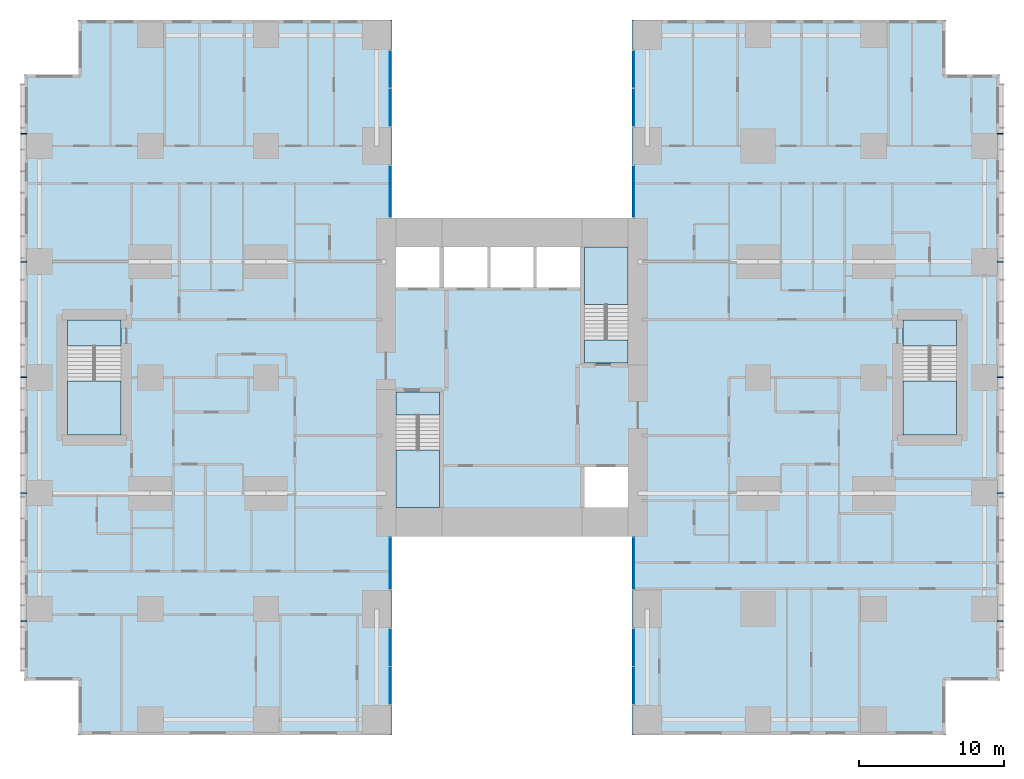
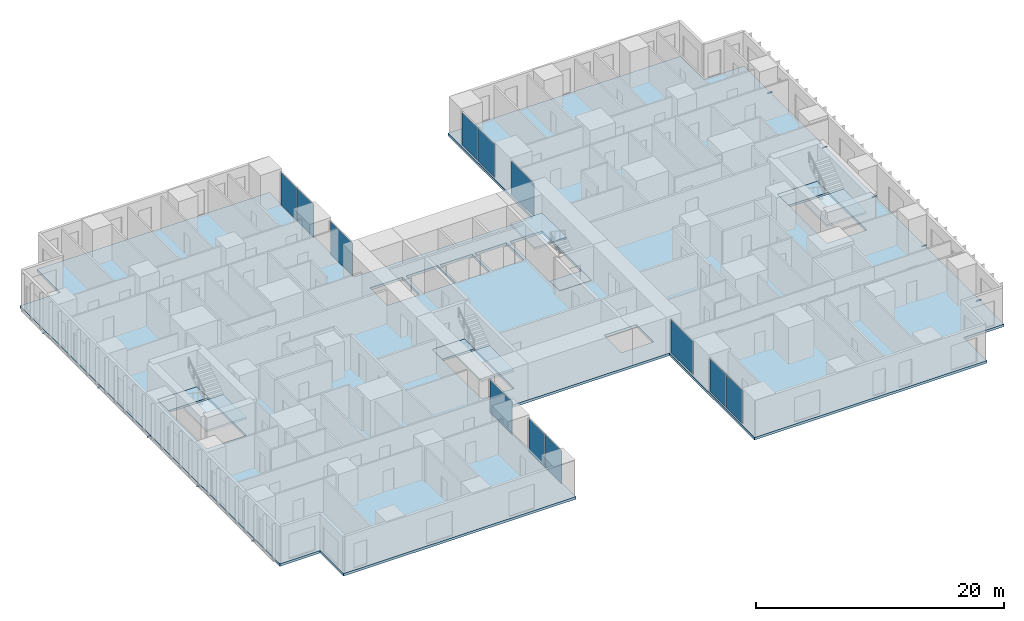
# One storey, part 7 of 20: 12 plates, 10 members, 9 slabs, 12 elements without a shape of their own.
"""IFC4 building model written with IfcOpenShell, lengths in metres."""

from ifc_helpers import new_model, si_unit, direction, frame, origin, origin_2d, place, context, subcontext, project, spatial, polyline, rectangle, hollow_rectangle, outline, extrude, material, layer, layer_set, material_profile, profile_set, type_object, element, aggregate, save


model = new_model("IFC4")

# Units and contexts
model_context = context("Model", 3, precision=1e-05, world=origin(), true_north=direction((0.0, 1.0)))
body_context = subcontext(model_context, "Body", "Model", "MODEL_VIEW")
ifc_project = project(units=[si_unit("LENGTHUNIT", "METRE"), si_unit("AREAUNIT", "SQUARE_METRE"), si_unit("VOLUMEUNIT", "CUBIC_METRE"), si_unit("PLANEANGLEUNIT", "RADIAN"), si_unit("MASSUNIT", "GRAM", prefix="KILO")], contexts=[model_context])

# Site, building, storey
site_placement = place(None, origin())
site = spatial("IfcSite", under=ifc_project, at=site_placement, CompositionType="ELEMENT")
building_placement = place(site_placement, origin())
building = spatial("IfcBuilding", under=site, at=building_placement, Name="Cleftline Residences", CompositionType="ELEMENT")
storey_placement = place(building_placement, frame((0.0, 0.0, 189.39990234375)))
storey = spatial("IfcBuildingStorey", under=building, at=storey_placement, Name="L49", CompositionType="ELEMENT", Elevation=189.39990234375)

# Members
ifc_material_1 = material(Name="Steel S355, hot-dip galvanised", Category="steel")
ifc_material_profile = material_profile(ifc_material_1, hollow_rectangle(XDim=0.10009765625, YDim=0.10009765625, WallThickness=0.008056640625, InnerFilletRadius=0.008056640625, OuterFilletRadius=0.011962890625, at=origin_2d()))
ifc_profile_set = profile_set([ifc_material_profile], Name="Steel S355, hot-dip galvanised")
member_type = type_object("IfcMemberType", Name="BAGUETTE BRACKET SHS 100X100X8", PredefinedType="USERDEFINED", material=ifc_profile_set)
for number, where, z_axis, x_axis, name in (
    (1, (66.5, 7.14990234375, -0.14990234375), (1.0, 0.0, 0.0), (0.0, 1.0, 0.0), "Baguette bracket"),
    (2, (66.5, 16.0, -0.14990234375), (1.0, 0.0, 0.0), (0.0, 1.0, 0.0), "Baguette bracket"),
    (3, (66.5, 24.0, -0.14990234375), (1.0, 0.0, 0.0), (0.0, 1.0, 0.0), "Baguette bracket"),
    (4, (66.5, 32.0, -0.14990234375), (1.0, 0.0, 0.0), (0.0, 1.0, 0.0), "Baguette bracket"),
    (5, (66.5, 40.85009765625, -0.14990234375), (1.0, 0.0, 0.0), (0.0, 1.0, 0.0), "Baguette bracket"),
    (6, (-0.5, 40.85009765625, -0.14990234375), (-1.0, 0.0, 0.0), (0.0, -1.0, 0.0), "Baguette bracket"),
    (7, (-0.5, 32.0, -0.14990234375), (-1.0, 0.0, 0.0), (0.0, -1.0, 0.0), "Baguette bracket"),
    (8, (-0.5, 24.0, -0.14990234375), (-1.0, 0.0, 0.0), (0.0, -1.0, 0.0), "Baguette bracket"),
    (9, (-0.5, 16.0, -0.14990234375), (-1.0, 0.0, 0.0), (0.0, -1.0, 0.0), "Baguette bracket"),
    (10, (-0.5, 7.14990234375, -0.14990234375), (-1.0, 0.0, 0.0), (0.0, -1.0, 0.0), "Baguette bracket"),
):
    element("IfcMember", number, at=place(storey_placement, frame(where, z_axis=z_axis, x_axis=x_axis)), inside=storey, type_object=member_type, Name=name, ObjectType="BAGUETTE BRACKET", PredefinedType="USERDEFINED", context=body_context, shape_type="SweptSolid", body=[
        extrude(hollow_rectangle(XDim=0.10009765625, YDim=0.10009765625, WallThickness=0.008056640625, InnerFilletRadius=0.008056640625, OuterFilletRadius=0.011962890625, at=origin_2d()), origin(), (0.0, 0.0, 1.0), 0.449951171875),
    ])

# Curtain wall, plates
ifc_material_2 = material(Name="Aluminium framed curtain wall", Category="aluminium")
ifc_layer_1 = layer(ifc_material_2, 0.199951171875)
ifc_layer_set_1 = layer_set([ifc_layer_1], Name="CW1 CLEFT GLAZING")
curtain_wall_type = type_object("IfcCurtainWallType", Name="CW1 CLEFT GLAZING", PredefinedType="NOTDEFINED", material=ifc_layer_set_1)
curtain_wall_1_placement = place(storey_placement, origin())
curtain_wall_1 = element("IfcCurtainWall", 11, at=curtain_wall_1_placement, inside=storey, type_object=curtain_wall_type, Name="Curtain wall CW1", PredefinedType="NOTDEFINED")
ifc_material_3 = material(Name="Laminated clear glass", Category="glass")
ifc_layer_2 = layer(ifc_material_3, 0.028076171875)
ifc_layer_set_2 = layer_set([ifc_layer_2], Name="CW1 GLASS PANEL")
plate_type = type_object("IfcPlateType", Name="CW1 GLASS PANEL", PredefinedType="CURTAIN_PANEL", material=ifc_layer_set_2)
plate_1_placement = place(storey_placement, frame((24.574951171875, 2.702392578125, 0.06005859375), z_axis=(0.0, 0.0, 1.0), x_axis=(0.0, 1.0, 0.0)))
plate_1 = element("IfcPlate", 12, at=plate_1_placement, type_object=plate_type, Name="CW1 panel 1.1", PredefinedType="CURTAIN_PANEL", context=body_context, shape_type="SweptSolid", body=[
    extrude(rectangle(XDim=2.5849609375, YDim=0.028076171875, at=origin_2d()), origin(), (0.0, 0.0, 1.0), 3.22998046875),
])
plate_2_placement = place(storey_placement, frame((24.574951171875, 5.347412109375, 0.06005859375), z_axis=(0.0, 0.0, 1.0), x_axis=(0.0, 1.0, 0.0)))
plate_2 = element("IfcPlate", 13, at=plate_2_placement, type_object=plate_type, Name="CW1 panel 2.1", PredefinedType="CURTAIN_PANEL", context=body_context, shape_type="SweptSolid", body=[
    extrude(rectangle(XDim=2.5849609375, YDim=0.028076171875, at=origin_2d()), origin(), (0.0, 0.0, 1.0), 3.22998046875),
])
aggregate(curtain_wall_1, [plate_1, plate_2])

# Curtain wall, plate
curtain_wall_2_placement = place(storey_placement, origin())
curtain_wall_2 = element("IfcCurtainWall", 14, at=curtain_wall_2_placement, inside=storey, type_object=curtain_wall_type, Name="Curtain wall CW1", PredefinedType="NOTDEFINED")
plate_3_placement = place(storey_placement, frame((24.574951171875, 11.14990234375, 0.06005859375), z_axis=(0.0, 0.0, 1.0), x_axis=(0.0, 1.0, 0.0)))
plate_3 = element("IfcPlate", 15, at=plate_3_placement, type_object=plate_type, Name="CW1 panel 1.1", PredefinedType="CURTAIN_PANEL", context=body_context, shape_type="SweptSolid", body=[
    extrude(rectangle(XDim=3.580078125, YDim=0.028076171875, at=origin_2d()), origin(), (0.0, 0.0, 1.0), 3.22998046875),
])
aggregate(curtain_wall_2, [plate_3])

curtain_wall_3_placement = place(storey_placement, origin())
curtain_wall_3 = element("IfcCurtainWall", 16, at=curtain_wall_3_placement, inside=storey, type_object=curtain_wall_type, Name="Curtain wall CW1", PredefinedType="NOTDEFINED")
plate_4_placement = place(storey_placement, frame((41.425048828125, 11.14990234375, 0.06005859375), z_axis=(0.0, 0.0, 1.0), x_axis=(0.0, -1.0, 0.0)))
plate_4 = element("IfcPlate", 17, at=plate_4_placement, type_object=plate_type, Name="CW1 panel 1.1", PredefinedType="CURTAIN_PANEL", context=body_context, shape_type="SweptSolid", body=[
    extrude(rectangle(XDim=3.580078125, YDim=0.028076171875, at=origin_2d()), origin(), (0.0, 0.0, 1.0), 3.22998046875),
])
aggregate(curtain_wall_3, [plate_4])

# Curtain wall, plates
curtain_wall_4_placement = place(storey_placement, origin())
curtain_wall_4 = element("IfcCurtainWall", 18, at=curtain_wall_4_placement, inside=storey, type_object=curtain_wall_type, Name="Curtain wall CW1", PredefinedType="NOTDEFINED")
plate_5_placement = place(storey_placement, frame((41.425048828125, 5.347412109375, 0.06005859375), z_axis=(0.0, 0.0, 1.0), x_axis=(0.0, -1.0, 0.0)))
plate_5 = element("IfcPlate", 19, at=plate_5_placement, type_object=plate_type, Name="CW1 panel 1.1", PredefinedType="CURTAIN_PANEL", context=body_context, shape_type="SweptSolid", body=[
    extrude(rectangle(XDim=2.5849609375, YDim=0.028076171875, at=origin_2d()), origin(), (0.0, 0.0, 1.0), 3.22998046875),
])
plate_6_placement = place(storey_placement, frame((41.425048828125, 2.702392578125, 0.06005859375), z_axis=(0.0, 0.0, 1.0), x_axis=(0.0, -1.0, 0.0)))
plate_6 = element("IfcPlate", 20, at=plate_6_placement, type_object=plate_type, Name="CW1 panel 2.1", PredefinedType="CURTAIN_PANEL", context=body_context, shape_type="SweptSolid", body=[
    extrude(rectangle(XDim=2.5849609375, YDim=0.028076171875, at=origin_2d()), origin(), (0.0, 0.0, 1.0), 3.22998046875),
])
aggregate(curtain_wall_4, [plate_5, plate_6])

curtain_wall_5_placement = place(storey_placement, origin())
curtain_wall_5 = element("IfcCurtainWall", 21, at=curtain_wall_5_placement, inside=storey, type_object=curtain_wall_type, Name="Curtain wall CW1", PredefinedType="NOTDEFINED")
plate_7_placement = place(storey_placement, frame((41.425048828125, 45.297607421875, 0.06005859375), z_axis=(0.0, 0.0, 1.0), x_axis=(0.0, -1.0, 0.0)))
plate_7 = element("IfcPlate", 22, at=plate_7_placement, type_object=plate_type, Name="CW1 panel 1.1", PredefinedType="CURTAIN_PANEL", context=body_context, shape_type="SweptSolid", body=[
    extrude(rectangle(XDim=2.5849609375, YDim=0.028076171875, at=origin_2d()), origin(), (0.0, 0.0, 1.0), 3.22998046875),
])
plate_8_placement = place(storey_placement, frame((41.425048828125, 42.652587890625, 0.06005859375), z_axis=(0.0, 0.0, 1.0), x_axis=(0.0, -1.0, 0.0)))
plate_8 = element("IfcPlate", 23, at=plate_8_placement, type_object=plate_type, Name="CW1 panel 2.1", PredefinedType="CURTAIN_PANEL", context=body_context, shape_type="SweptSolid", body=[
    extrude(rectangle(XDim=2.5849609375, YDim=0.028076171875, at=origin_2d()), origin(), (0.0, 0.0, 1.0), 3.22998046875),
])
aggregate(curtain_wall_5, [plate_7, plate_8])

# Curtain wall, plate
curtain_wall_6_placement = place(storey_placement, origin())
curtain_wall_6 = element("IfcCurtainWall", 24, at=curtain_wall_6_placement, inside=storey, type_object=curtain_wall_type, Name="Curtain wall CW1", PredefinedType="NOTDEFINED")
plate_9_placement = place(storey_placement, frame((41.425048828125, 36.85009765625, 0.06005859375), z_axis=(0.0, 0.0, 1.0), x_axis=(0.0, -1.0, 0.0)))
plate_9 = element("IfcPlate", 25, at=plate_9_placement, type_object=plate_type, Name="CW1 panel 1.1", PredefinedType="CURTAIN_PANEL", context=body_context, shape_type="SweptSolid", body=[
    extrude(rectangle(XDim=3.580078125, YDim=0.028076171875, at=origin_2d()), origin(), (0.0, 0.0, 1.0), 3.22998046875),
])
aggregate(curtain_wall_6, [plate_9])

curtain_wall_7_placement = place(storey_placement, origin())
curtain_wall_7 = element("IfcCurtainWall", 26, at=curtain_wall_7_placement, inside=storey, type_object=curtain_wall_type, Name="Curtain wall CW1", PredefinedType="NOTDEFINED")
plate_10_placement = place(storey_placement, frame((24.574951171875, 36.85009765625, 0.06005859375), z_axis=(0.0, 0.0, 1.0), x_axis=(0.0, 1.0, 0.0)))
plate_10 = element("IfcPlate", 27, at=plate_10_placement, type_object=plate_type, Name="CW1 panel 1.1", PredefinedType="CURTAIN_PANEL", context=body_context, shape_type="SweptSolid", body=[
    extrude(rectangle(XDim=3.580078125, YDim=0.028076171875, at=origin_2d()), origin(), (0.0, 0.0, 1.0), 3.22998046875),
])
aggregate(curtain_wall_7, [plate_10])

# Curtain wall, plates
curtain_wall_8_placement = place(storey_placement, origin())
curtain_wall_8 = element("IfcCurtainWall", 28, at=curtain_wall_8_placement, inside=storey, type_object=curtain_wall_type, Name="Curtain wall CW1", PredefinedType="NOTDEFINED")
plate_11_placement = place(storey_placement, frame((24.574951171875, 42.652587890625, 0.06005859375), z_axis=(0.0, 0.0, 1.0), x_axis=(0.0, 1.0, 0.0)))
plate_11 = element("IfcPlate", 29, at=plate_11_placement, type_object=plate_type, Name="CW1 panel 1.1", PredefinedType="CURTAIN_PANEL", context=body_context, shape_type="SweptSolid", body=[
    extrude(rectangle(XDim=2.5849609375, YDim=0.028076171875, at=origin_2d()), origin(), (0.0, 0.0, 1.0), 3.22998046875),
])
plate_12_placement = place(storey_placement, frame((24.574951171875, 45.297607421875, 0.06005859375), z_axis=(0.0, 0.0, 1.0), x_axis=(0.0, 1.0, 0.0)))
plate_12 = element("IfcPlate", 30, at=plate_12_placement, type_object=plate_type, Name="CW1 panel 2.1", PredefinedType="CURTAIN_PANEL", context=body_context, shape_type="SweptSolid", body=[
    extrude(rectangle(XDim=2.5849609375, YDim=0.028076171875, at=origin_2d()), origin(), (0.0, 0.0, 1.0), 3.22998046875),
])
aggregate(curtain_wall_8, [plate_11, plate_12])

# Slab
ifc_material_4 = material(Name="Concrete B45", Category="concrete")
ifc_layer_3 = layer(ifc_material_4, 0.25)
ifc_layer_set_3 = layer_set([ifc_layer_3], Name="FLOOR SLAB 250")
slab_type_1 = type_object("IfcSlabType", Name="FLOOR SLAB 250", PredefinedType="FLOOR", material=ifc_layer_set_3)
slab_1_placement = place(storey_placement, frame((0.0, 0.0, -0.25)))
element("IfcSlab", 31, at=slab_1_placement, inside=storey, type_object=slab_type_1, Name="Floor slab L49", PredefinedType="FLOOR", context=body_context, shape_type="SweptSolid", body=[
    extrude(outline(polyline([(24.699951171875, 13.0), (41.300048828125, 13.0), (41.300048828125, -0.699951171875), (62.949951171875, -0.699951171875), (62.949951171875, 3.050048828125), (66.699951171875, 3.050048828125), (66.699951171875, 44.949951171875), (62.949951171875, 44.949951171875), (62.949951171875, 48.699951171875), (41.300048828125, 48.699951171875), (41.300048828125, 35.0), (24.699951171875, 35.0), (24.699951171875, 48.699951171875), (3.050048828125, 48.699951171875), (3.050048828125, 44.949951171875), (-0.699951171875, 44.949951171875), (-0.699951171875, 3.050048828125), (3.050048828125, 3.050048828125), (3.050048828125, -0.699951171875), (24.699951171875, -0.699951171875), (24.699951171875, 13.0)]), holes=[polyline([(28.0, 15.0), (28.0, 23.0), (25.0, 23.0), (25.0, 15.0), (28.0, 15.0)]), polyline([(41.0, 25.0), (41.0, 33.0), (38.0, 33.0), (38.0, 25.0), (41.0, 25.0)]), polyline([(28.0, 30.199951171875), (28.0, 33.0), (25.0, 33.0), (25.0, 30.199951171875), (28.0, 30.199951171875)]), polyline([(41.0, 15.0), (41.0, 17.800048828125), (38.0, 17.800048828125), (38.0, 15.0), (41.0, 15.0)]), polyline([(31.300048828125, 30.199951171875), (31.300048828125, 33.0), (28.300048828125, 33.0), (28.300048828125, 30.199951171875), (31.300048828125, 30.199951171875)]), polyline([(34.5, 30.199951171875), (34.5, 33.0), (31.5, 33.0), (31.5, 30.199951171875), (34.5, 30.199951171875)]), polyline([(37.699951171875, 30.199951171875), (37.699951171875, 33.0), (34.699951171875, 33.0), (34.699951171875, 30.199951171875), (37.699951171875, 30.199951171875)]), polyline([(63.72509765625, 20.02490234375), (63.72509765625, 27.97509765625), (60.02490234375, 27.97509765625), (60.02490234375, 20.02490234375), (63.72509765625, 20.02490234375)]), polyline([(5.97509765625, 20.02490234375), (5.97509765625, 27.97509765625), (2.27490234375, 27.97509765625), (2.27490234375, 20.02490234375), (5.97509765625, 20.02490234375)])]), origin(), (0.0, 0.0, 1.0), 0.25),
])

# Stair, slabs
ifc_material_5 = material(Name="Concrete B45, stone treads", Category="masonry")
stair_type_1 = type_object("IfcStairType", Name="STAIR A 1450 WIDE 180 RISER", PredefinedType="HALF_TURN_STAIR", material=ifc_material_5)
stair_1_placement = place(storey_placement, origin())
stair_1 = element("IfcStair", 32, at=stair_1_placement, inside=storey, type_object=stair_type_1, Name="Stair A L49", PredefinedType="HALF_TURN_STAIR")
ifc_material_6 = material(Name="Concrete B45", Category="concrete")
ifc_layer_4 = layer(ifc_material_6, 0.199951171875)
ifc_layer_set_4 = layer_set([ifc_layer_4], Name="STAIR LANDING 200")
slab_type_2 = type_object("IfcSlabType", Name="STAIR LANDING 200", PredefinedType="LANDING", material=ifc_layer_set_4)
slab_2_placement = place(storey_placement, frame((0.0, 0.0, -0.199951171875)))
slab_2 = element("IfcSlab", 33, at=slab_2_placement, type_object=slab_type_2, Name="ST-A landing 1", PredefinedType="LANDING", context=body_context, shape_type="SweptSolid", body=[
    extrude(outline(polyline([(25.0, 21.39990234375), (28.0, 21.39990234375), (28.0, 23.0), (25.0, 23.0), (25.0, 21.39990234375)])), origin(), (0.0, 0.0, 1.0), 0.199951171875),
])
slab_3_placement = place(storey_placement, frame((0.0, 0.0, 1.60009765625)))
slab_3 = element("IfcSlab", 34, at=slab_3_placement, type_object=slab_type_2, Name="ST-A landing 2", PredefinedType="LANDING", context=body_context, shape_type="SweptSolid", body=[
    extrude(outline(polyline([(25.0, 15.0), (28.0, 15.0), (28.0, 18.969970703125), (25.0, 18.969970703125), (25.0, 15.0)])), origin(), (0.0, 0.0, 1.0), 0.199951171875),
])
aggregate(stair_1, [slab_2, slab_3])

ifc_material_7 = material(Name="Concrete B45, stone treads", Category="masonry")
stair_type_2 = type_object("IfcStairType", Name="STAIR B 1450 WIDE 180 RISER", PredefinedType="HALF_TURN_STAIR", material=ifc_material_7)
stair_2_placement = place(storey_placement, origin())
stair_2 = element("IfcStair", 35, at=stair_2_placement, inside=storey, type_object=stair_type_2, Name="Stair B L49", PredefinedType="HALF_TURN_STAIR")
slab_4_placement = place(storey_placement, frame((0.0, 0.0, -0.199951171875)))
slab_4 = element("IfcSlab", 36, at=slab_4_placement, type_object=slab_type_2, Name="ST-B landing 1", PredefinedType="LANDING", context=body_context, shape_type="SweptSolid", body=[
    extrude(outline(polyline([(38.0, 25.0), (41.0, 25.0), (41.0, 26.60009765625), (38.0, 26.60009765625), (38.0, 25.0)])), origin(), (0.0, 0.0, 1.0), 0.199951171875),
])
slab_5_placement = place(storey_placement, frame((0.0, 0.0, 1.60009765625)))
slab_5 = element("IfcSlab", 37, at=slab_5_placement, type_object=slab_type_2, Name="ST-B landing 2", PredefinedType="LANDING", context=body_context, shape_type="SweptSolid", body=[
    extrude(outline(polyline([(38.0, 29.030029296875), (41.0, 29.030029296875), (41.0, 33.0), (38.0, 33.0), (38.0, 29.030029296875)])), origin(), (0.0, 0.0, 1.0), 0.199951171875),
])
aggregate(stair_2, [slab_4, slab_5])

ifc_material_8 = material(Name="Concrete B45, stone treads", Category="masonry")
stair_type_3 = type_object("IfcStairType", Name="STAIR E 1800 WIDE 180 RISER", PredefinedType="HALF_TURN_STAIR", material=ifc_material_8)
stair_3_placement = place(storey_placement, origin())
stair_3 = element("IfcStair", 38, at=stair_3_placement, inside=storey, type_object=stair_type_3, Name="Stair E L49", PredefinedType="HALF_TURN_STAIR")
slab_6_placement = place(storey_placement, frame((0.0, 0.0, -0.199951171875)))
slab_6 = element("IfcSlab", 39, at=slab_6_placement, type_object=slab_type_2, Name="ST-E landing 1", PredefinedType="LANDING", context=body_context, shape_type="SweptSolid", body=[
    extrude(outline(polyline([(60.02490234375, 26.175048828125), (63.72509765625, 26.175048828125), (63.72509765625, 27.97509765625), (60.02490234375, 27.97509765625), (60.02490234375, 26.175048828125)])), origin(), (0.0, 0.0, 1.0), 0.199951171875),
])
slab_7_placement = place(storey_placement, frame((0.0, 0.0, 1.60009765625)))
slab_7 = element("IfcSlab", 40, at=slab_7_placement, type_object=slab_type_2, Name="ST-E landing 2", PredefinedType="LANDING", context=body_context, shape_type="SweptSolid", body=[
    extrude(outline(polyline([(60.02490234375, 20.02490234375), (63.72509765625, 20.02490234375), (63.72509765625, 23.7451171875), (60.02490234375, 23.7451171875), (60.02490234375, 20.02490234375)])), origin(), (0.0, 0.0, 1.0), 0.199951171875),
])
aggregate(stair_3, [slab_6, slab_7])

ifc_material_9 = material(Name="Concrete B45, stone treads", Category="masonry")
stair_type_4 = type_object("IfcStairType", Name="STAIR W 1800 WIDE 180 RISER", PredefinedType="HALF_TURN_STAIR", material=ifc_material_9)
stair_4_placement = place(storey_placement, origin())
stair_4 = element("IfcStair", 41, at=stair_4_placement, inside=storey, type_object=stair_type_4, Name="Stair W L49", PredefinedType="HALF_TURN_STAIR")
slab_8_placement = place(storey_placement, frame((0.0, 0.0, -0.199951171875)))
slab_8 = element("IfcSlab", 42, at=slab_8_placement, type_object=slab_type_2, Name="ST-W landing 1", PredefinedType="LANDING", context=body_context, shape_type="SweptSolid", body=[
    extrude(outline(polyline([(2.27490234375, 26.175048828125), (5.97509765625, 26.175048828125), (5.97509765625, 27.97509765625), (2.27490234375, 27.97509765625), (2.27490234375, 26.175048828125)])), origin(), (0.0, 0.0, 1.0), 0.199951171875),
])
slab_9_placement = place(storey_placement, frame((0.0, 0.0, 1.60009765625)))
slab_9 = element("IfcSlab", 43, at=slab_9_placement, type_object=slab_type_2, Name="ST-W landing 2", PredefinedType="LANDING", context=body_context, shape_type="SweptSolid", body=[
    extrude(outline(polyline([(2.27490234375, 20.02490234375), (5.97509765625, 20.02490234375), (5.97509765625, 23.7451171875), (2.27490234375, 23.7451171875), (2.27490234375, 20.02490234375)])), origin(), (0.0, 0.0, 1.0), 0.199951171875),
])
aggregate(stair_4, [slab_8, slab_9])

save(model, "model.ifc")
